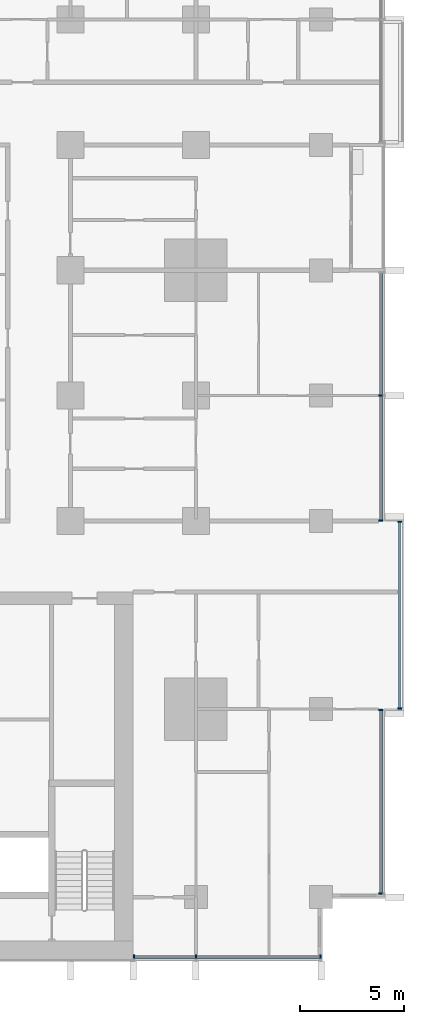
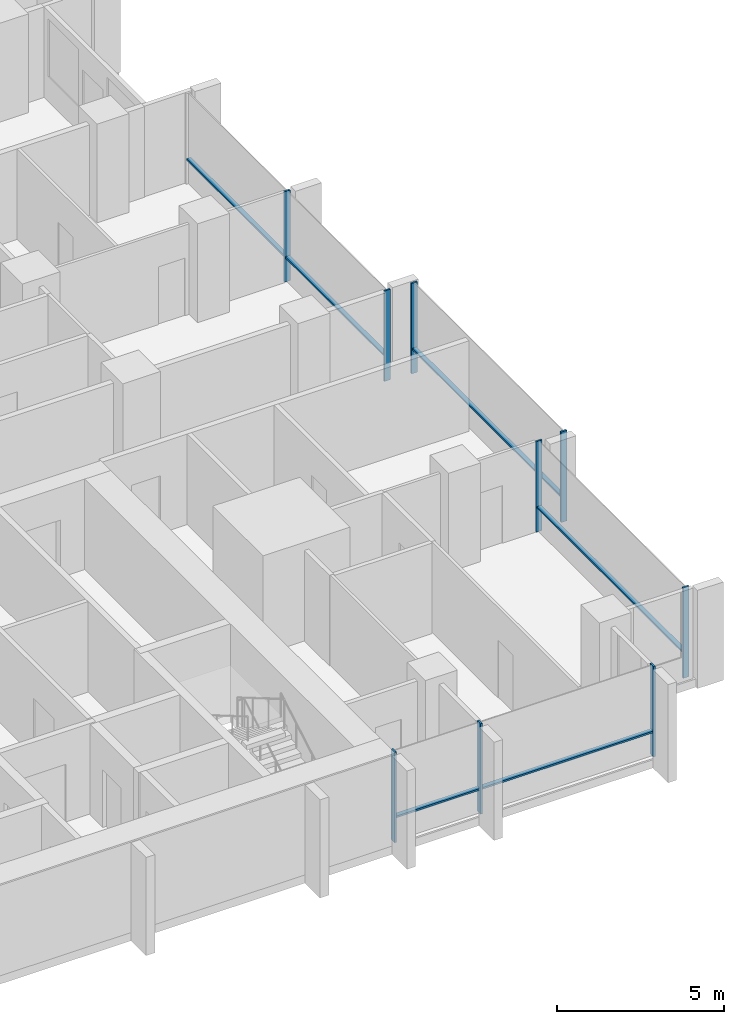
# One storey, part 3 of 18: 15 members, 4 elements without a shape of their own.
"""IFC4 building model written with IfcOpenShell, lengths in metres."""

from ifc_helpers import new_model, si_unit, direction, frame, origin, origin_2d, place, context, subcontext, project, spatial, rectangle, extrude, material, material_profile, profile_set, type_object, element, aggregate, save


model = new_model("IFC4")

# Units and contexts
model_context = context("Model", 3, precision=1e-05, world=origin(), true_north=direction((0.0, 1.0)))
body_context = subcontext(model_context, "Body", "Model", "MODEL_VIEW")
ifc_project = project(units=[si_unit("LENGTHUNIT", "METRE"), si_unit("AREAUNIT", "SQUARE_METRE"), si_unit("VOLUMEUNIT", "CUBIC_METRE"), si_unit("PLANEANGLEUNIT", "RADIAN"), si_unit("MASSUNIT", "GRAM", prefix="KILO")], contexts=[model_context])

# Site, building, storey
site_placement = place(None, origin())
site = spatial("IfcSite", under=ifc_project, at=site_placement, CompositionType="ELEMENT")
building_placement = place(site_placement, origin())
building = spatial("IfcBuilding", under=site, at=building_placement, Name="Finial Court Residences", CompositionType="ELEMENT")
storey_placement = place(building_placement, frame((0.0, 0.0, 68.5)))
storey = spatial("IfcBuildingStorey", under=building, at=storey_placement, Name="L16", CompositionType="ELEMENT", Elevation=68.5)

# Curtain wall, members
ifc_material = material(Name="Bronze anodised aluminium", Category="aluminium")
curtain_wall_type = type_object("IfcCurtainWallType", Name="Unitised curtain wall, lower and middle zones", PredefinedType="NOTDEFINED", material=ifc_material)
curtain_wall_1_placement = place(storey_placement, origin())
curtain_wall_1 = element("IfcCurtainWall", 1, at=curtain_wall_1_placement, inside=storey, type_object=curtain_wall_type, Name="E-L16-CW-E5", PredefinedType="NOTDEFINED")
ifc_material_profile_1 = material_profile(ifc_material, rectangle(XDim=0.199951171875, YDim=0.06494140625, at=origin_2d()), Name="CW1 mullion 65 x 200")
ifc_profile_set_1 = profile_set([ifc_material_profile_1], Name="Bronze anodised aluminium")
member_type_1 = type_object("IfcMemberType", Name="CW1 mullion 65 x 200", PredefinedType="MULLION", material=ifc_profile_set_1)
member_1_placement = place(storey_placement, frame((25.35009765625, -22.3173828125, 0.0), z_axis=(0.0, 0.0, 1.0), x_axis=(-1.0, 0.0, 0.0)))
member_1 = element("IfcMember", 2, at=member_1_placement, type_object=member_type_1, Name="CW1 mullion 1", PredefinedType="MULLION", context=body_context, shape_type="SweptSolid", body=[
    extrude(rectangle(XDim=0.199951171875, YDim=0.06494140625, at=origin_2d()), origin(), (0.0, 0.0, 1.0), 3.300048828125),
])
member_2_placement = place(storey_placement, frame((25.35009765625, -13.532470703125, 0.0), z_axis=(0.0, 0.0, 1.0), x_axis=(-1.0, 0.0, 0.0)))
member_2 = element("IfcMember", 3, at=member_2_placement, type_object=member_type_1, Name="CW1 mullion 2", PredefinedType="MULLION", context=body_context, shape_type="SweptSolid", body=[
    extrude(rectangle(XDim=0.199951171875, YDim=0.06494140625, at=origin_2d()), origin(), (0.0, 0.0, 1.0), 3.300048828125),
])

curtain_wall_2_placement = place(storey_placement, origin())
curtain_wall_2 = element("IfcCurtainWall", 4, at=curtain_wall_2_placement, inside=storey, type_object=curtain_wall_type, Name="E-L16-CW-E6", PredefinedType="NOTDEFINED")
member_3_placement = place(storey_placement, frame((26.25, -13.467529296875, 0.0), z_axis=(0.0, 0.0, 1.0), x_axis=(-1.0, 0.0, 0.0)))
member_3 = element("IfcMember", 5, at=member_3_placement, type_object=member_type_1, Name="CW1 mullion 1", PredefinedType="MULLION", context=body_context, shape_type="SweptSolid", body=[
    extrude(rectangle(XDim=0.199951171875, YDim=0.06494140625, at=origin_2d()), origin(), (0.0, 0.0, 1.0), 3.300048828125),
])
member_4_placement = place(storey_placement, frame((26.25, -4.532470703125, 0.0), z_axis=(0.0, 0.0, 1.0), x_axis=(-1.0, 0.0, 0.0)))
member_4 = element("IfcMember", 6, at=member_4_placement, type_object=member_type_1, Name="CW1 mullion 2", PredefinedType="MULLION", context=body_context, shape_type="SweptSolid", body=[
    extrude(rectangle(XDim=0.199951171875, YDim=0.06494140625, at=origin_2d()), origin(), (0.0, 0.0, 1.0), 3.300048828125),
])

curtain_wall_3_placement = place(storey_placement, origin())
curtain_wall_3 = element("IfcCurtainWall", 7, at=curtain_wall_3_placement, inside=storey, type_object=curtain_wall_type, Name="E-L16-CW-E7", PredefinedType="NOTDEFINED")
member_5_placement = place(storey_placement, frame((25.35009765625, -4.467529296875, 0.0), z_axis=(0.0, 0.0, 1.0), x_axis=(-1.0, 0.0, 0.0)))
member_5 = element("IfcMember", 8, at=member_5_placement, type_object=member_type_1, Name="CW1 mullion 1", PredefinedType="MULLION", context=body_context, shape_type="SweptSolid", body=[
    extrude(rectangle(XDim=0.199951171875, YDim=0.06494140625, at=origin_2d()), origin(), (0.0, 0.0, 1.0), 3.300048828125),
])
member_6_placement = place(storey_placement, frame((25.35009765625, 1.5, 0.0), z_axis=(0.0, 0.0, 1.0), x_axis=(-1.0, 0.0, 0.0)))
member_6 = element("IfcMember", 9, at=member_6_placement, type_object=member_type_1, Name="CW1 mullion 2", PredefinedType="MULLION", context=body_context, shape_type="SweptSolid", body=[
    extrude(rectangle(XDim=0.199951171875, YDim=0.06494140625, at=origin_2d()), origin(), (0.0, 0.0, 1.0), 3.300048828125),
])

curtain_wall_4_placement = place(storey_placement, origin())
curtain_wall_4 = element("IfcCurtainWall", 10, at=curtain_wall_4_placement, inside=storey, type_object=curtain_wall_type, Name="E-L16-CW-S10", PredefinedType="NOTDEFINED")
member_7_placement = place(storey_placement, frame((13.532470703125, -25.35009765625, 0.0), z_axis=(0.0, 0.0, 1.0), x_axis=(0.0, 1.0, 0.0)))
member_7 = element("IfcMember", 11, at=member_7_placement, type_object=member_type_1, Name="CW1 mullion 1", PredefinedType="MULLION", context=body_context, shape_type="SweptSolid", body=[
    extrude(rectangle(XDim=0.199951171875, YDim=0.06494140625, at=origin_2d()), origin(), (0.0, 0.0, 1.0), 3.300048828125),
])
member_8_placement = place(storey_placement, frame((16.5, -25.35009765625, 0.0), z_axis=(0.0, 0.0, 1.0), x_axis=(0.0, 1.0, 0.0)))
member_8 = element("IfcMember", 12, at=member_8_placement, type_object=member_type_1, Name="CW1 mullion 2", PredefinedType="MULLION", context=body_context, shape_type="SweptSolid", body=[
    extrude(rectangle(XDim=0.199951171875, YDim=0.06494140625, at=origin_2d()), origin(), (0.0, 0.0, 1.0), 3.300048828125),
])
member_9_placement = place(storey_placement, frame((22.467529296875, -25.35009765625, 0.0), z_axis=(0.0, 0.0, 1.0), x_axis=(0.0, 1.0, 0.0)))
member_9 = element("IfcMember", 13, at=member_9_placement, type_object=member_type_1, Name="CW1 mullion 3", PredefinedType="MULLION", context=body_context, shape_type="SweptSolid", body=[
    extrude(rectangle(XDim=0.199951171875, YDim=0.06494140625, at=origin_2d()), origin(), (0.0, 0.0, 1.0), 3.300048828125),
])

# Member
ifc_material_profile_2 = material_profile(ifc_material, rectangle(XDim=0.14990234375, YDim=0.06494140625, at=origin_2d()), Name="CW1 transom 65 x 150")
ifc_profile_set_2 = profile_set([ifc_material_profile_2], Name="Bronze anodised aluminium")
member_type_2 = type_object("IfcMemberType", Name="CW1 transom 65 x 150", PredefinedType="USERDEFINED", material=ifc_profile_set_2)
member_10_placement = place(storey_placement, frame((25.35009765625, -22.284912109375, 0.89990234375), z_axis=(0.0, 1.0, 0.0), x_axis=(-1.0, 0.0, 0.0)))
member_10 = element("IfcMember", 14, at=member_10_placement, type_object=member_type_2, Name="CW1 transom 1.1", ObjectType="TRANSOM", PredefinedType="USERDEFINED", context=body_context, shape_type="SweptSolid", body=[
    extrude(rectangle(XDim=0.14990234375, YDim=0.06494140625, at=origin_2d()), origin(), (0.0, 0.0, 1.0), 8.719970703125),
])

aggregate(curtain_wall_1, [member_1, member_2, member_10])

member_11_placement = place(storey_placement, frame((26.25, -13.43505859375, 0.89990234375), z_axis=(0.0, 1.0, 0.0), x_axis=(-1.0, 0.0, 0.0)))
member_11 = element("IfcMember", 15, at=member_11_placement, type_object=member_type_2, Name="CW1 transom 1.1", ObjectType="TRANSOM", PredefinedType="USERDEFINED", context=body_context, shape_type="SweptSolid", body=[
    extrude(rectangle(XDim=0.14990234375, YDim=0.06494140625, at=origin_2d()), origin(), (0.0, 0.0, 1.0), 8.8701171875),
])

aggregate(curtain_wall_2, [member_3, member_4, member_11])

member_12_placement = place(storey_placement, frame((25.35009765625, -4.43505859375, 0.89990234375), z_axis=(0.0, 1.0, 0.0), x_axis=(-1.0, 0.0, 0.0)))
member_12 = element("IfcMember", 16, at=member_12_placement, type_object=member_type_2, Name="CW1 transom 1.1", ObjectType="TRANSOM", PredefinedType="USERDEFINED", context=body_context, shape_type="SweptSolid", body=[
    extrude(rectangle(XDim=0.14990234375, YDim=0.06494140625, at=origin_2d()), origin(), (0.0, 0.0, 1.0), 5.902587890625),
])

member_13_placement = place(storey_placement, frame((25.35009765625, 1.532470703125, 0.89990234375), z_axis=(0.0, 1.0, 0.0), x_axis=(-1.0, 0.0, 0.0)))
member_13 = element("IfcMember", 17, at=member_13_placement, type_object=member_type_2, Name="CW1 transom 2.1", ObjectType="TRANSOM", PredefinedType="USERDEFINED", context=body_context, shape_type="SweptSolid", body=[
    extrude(rectangle(XDim=0.14990234375, YDim=0.06494140625, at=origin_2d()), origin(), (0.0, 0.0, 1.0), 5.82763671875),
])

aggregate(curtain_wall_3, [member_5, member_6, member_12, member_13])

member_14_placement = place(storey_placement, frame((13.56494140625, -25.35009765625, 0.89990234375), z_axis=(1.0, 0.0, 0.0), x_axis=(0.0, 1.0, 0.0)))
member_14 = element("IfcMember", 18, at=member_14_placement, type_object=member_type_2, Name="CW1 transom 1.1", ObjectType="TRANSOM", PredefinedType="USERDEFINED", context=body_context, shape_type="SweptSolid", body=[
    extrude(rectangle(XDim=0.14990234375, YDim=0.06494140625, at=origin_2d()), origin(), (0.0, 0.0, 1.0), 2.902587890625),
])

member_15_placement = place(storey_placement, frame((16.532470703125, -25.35009765625, 0.89990234375), z_axis=(1.0, 0.0, 0.0), x_axis=(0.0, 1.0, 0.0)))
member_15 = element("IfcMember", 19, at=member_15_placement, type_object=member_type_2, Name="CW1 transom 2.1", ObjectType="TRANSOM", PredefinedType="USERDEFINED", context=body_context, shape_type="SweptSolid", body=[
    extrude(rectangle(XDim=0.14990234375, YDim=0.06494140625, at=origin_2d()), origin(), (0.0, 0.0, 1.0), 5.902587890625),
])

aggregate(curtain_wall_4, [member_7, member_8, member_9, member_14, member_15])

save(model, "model.ifc")
